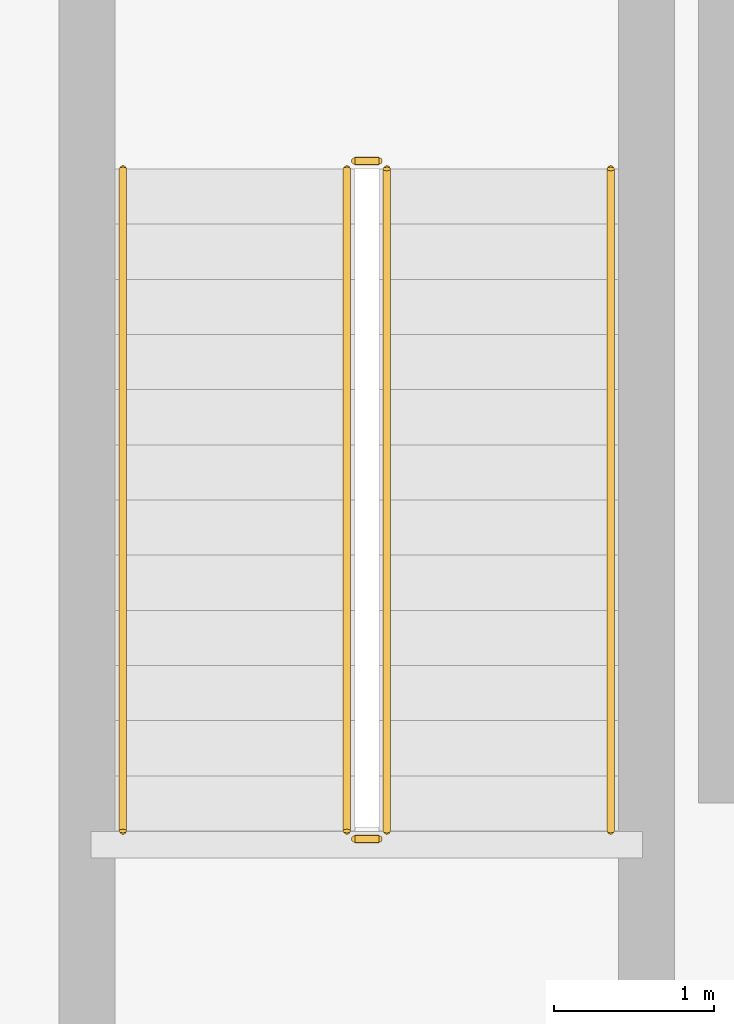
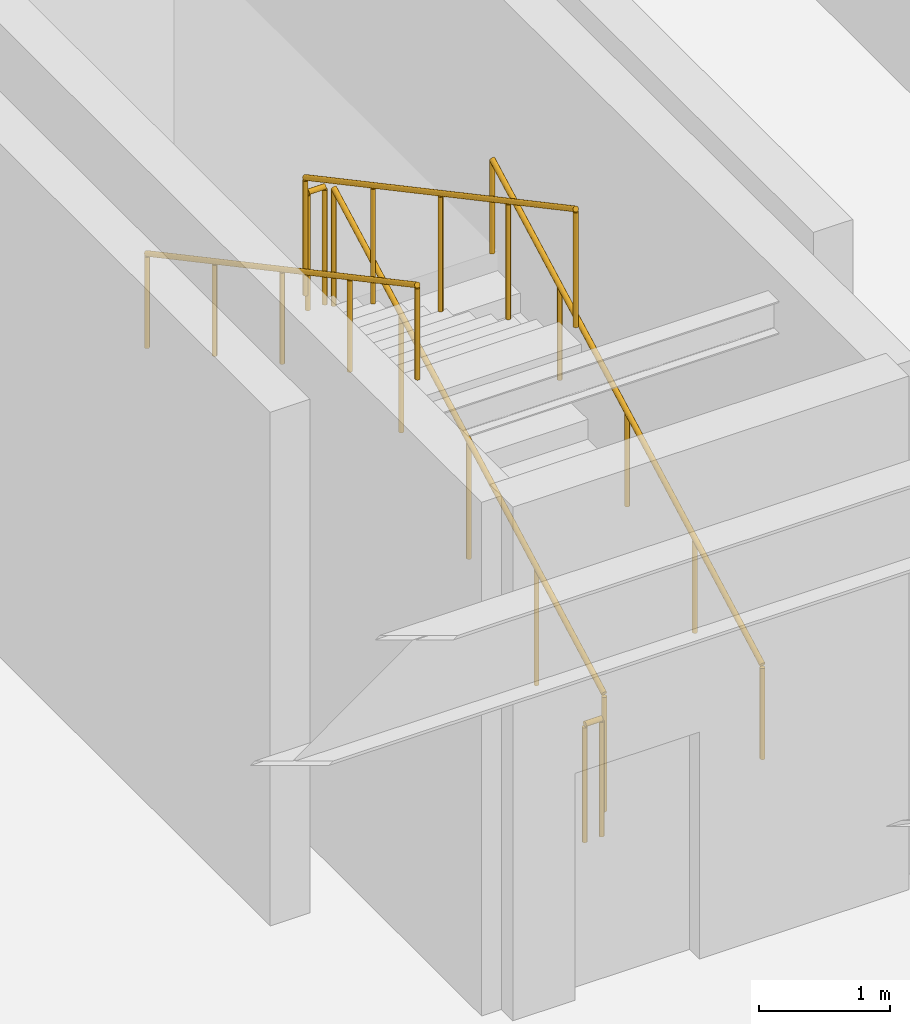
# One storey, part 7 of 8: 6 railings.
"""IFC4 building model written with IfcOpenShell, lengths in metres."""

from ifc_helpers import new_model, si_unit, direction, frame, origin, origin_2d, place, context, subcontext, project, spatial, circle, extrude, material, type_object, element, save


model = new_model("IFC4")

# Units and contexts
model_context = context("Model", 3, precision=1e-05, world=origin(), true_north=direction((0.0, 1.0)))
body_context = subcontext(model_context, "Body", "Model", "MODEL_VIEW")
ifc_project = project(units=[si_unit("LENGTHUNIT", "METRE"), si_unit("AREAUNIT", "SQUARE_METRE"), si_unit("VOLUMEUNIT", "CUBIC_METRE"), si_unit("PLANEANGLEUNIT", "RADIAN"), si_unit("MASSUNIT", "GRAM", prefix="KILO")], contexts=[model_context])

# Site, building, storey
site_placement = place(None, origin())
site = spatial("IfcSite", under=ifc_project, at=site_placement, CompositionType="ELEMENT")
building_placement = place(site_placement, origin())
building = spatial("IfcBuilding", under=site, at=building_placement, Name="Tolvann Quenvar Hotel", CompositionType="ELEMENT")
storey_placement = place(building_placement, frame((0.0, 0.0, -9.60009765625)))
storey = spatial("IfcBuildingStorey", under=building, at=storey_placement, Name="B02", CompositionType="ELEMENT", Elevation=-9.60009765625)

# Railings
ifc_material = material(Name="Brushed 316 stainless steel balustrade and handrail", Category="steel")
railing_type_1 = type_object("IfcRailingType", Name="GUARDRAIL", PredefinedType="GUARDRAIL", material=ifc_material)
railing_1_placement = place(storey_placement, frame((1.60009765625, 34.050048828125, 0.184814453125)))
element("IfcRailing", 1, at=railing_1_placement, inside=storey, type_object=railing_type_1, Name="B02 ST-B1 stair guard 1", PredefinedType="GUARDRAIL", context=body_context, shape_type="SweptSolid", body=[
    extrude(circle(Radius=0.02392578125, at=origin_2d()), frame((0.0, 0.0, 1.09619140625), z_axis=(0.0, 0.881698630289, 0.471813019475), x_axis=(-1.0, 0.0, 0.0)), (0.0, 0.0, 1.0), 4.6953125),
    extrude(circle(Radius=0.02099609375, at=origin_2d()), origin(), (0.0, 0.0, 1.0), 1.072021484375),
    extrude(circle(Radius=0.02099609375, at=origin_2d()), frame((0.0, 1.034912109375, 0.5537109375)), (0.0, 0.0, 1.0), 1.072021484375),
    extrude(circle(Radius=0.02099609375, at=origin_2d()), frame((0.0, 2.06982421875, 1.107666015625)), (0.0, 0.0, 1.0), 1.072021484375),
    extrude(circle(Radius=0.02099609375, at=origin_2d()), frame((0.0, 3.10498046875, 1.66162109375)), (0.0, 0.0, 1.0), 1.072021484375),
    extrude(circle(Radius=0.02099609375, at=origin_2d()), frame((0.0, 4.139892578125, 2.21533203125)), (0.0, 0.0, 1.0), 1.072021484375),
])
railing_2_placement = place(storey_placement, frame((1.550048828125, 38.239990234375, 2.400146484375)))
element("IfcRailing", 2, at=railing_2_placement, inside=storey, type_object=railing_type_1, Name="B02 ST-B1 stair guard 2", PredefinedType="GUARDRAIL", context=body_context, shape_type="SweptSolid", body=[
    extrude(circle(Radius=0.02392578125, at=origin_2d()), frame((0.0, 0.0, 1.09619140625), z_axis=(-1.0, 0.0, 0.0), x_axis=(0.0, -1.0, 0.0)), (0.0, 0.0, 1.0), 0.150146484375),
    extrude(circle(Radius=0.02099609375, at=origin_2d()), origin(), (0.0, 0.0, 1.0), 1.072021484375),
    extrude(circle(Radius=0.02099609375, at=origin_2d()), frame((-0.150146484375, 0.0, 0.0)), (0.0, 0.0, 1.0), 1.072021484375),
])
railing_3_placement = place(storey_placement, frame((1.35009765625, 38.18994140625, 2.584716796875)))
element("IfcRailing", 3, at=railing_3_placement, inside=storey, type_object=railing_type_1, Name="B02 ST-B1 stair guard 3", PredefinedType="GUARDRAIL", context=body_context, shape_type="SweptSolid", body=[
    extrude(circle(Radius=0.02392578125, at=origin_2d()), frame((0.0, 0.0, 1.09619140625), z_axis=(0.0, -0.881698630289, 0.471813019475), x_axis=(1.0, 0.0, 0.0)), (0.0, 0.0, 1.0), 4.6953125),
    extrude(circle(Radius=0.02099609375, at=origin_2d()), origin(), (0.0, 0.0, 1.0), 1.072021484375),
    extrude(circle(Radius=0.02099609375, at=origin_2d()), frame((0.0, -1.034912109375, 0.5537109375)), (0.0, 0.0, 1.0), 1.072021484375),
    extrude(circle(Radius=0.02099609375, at=origin_2d()), frame((0.0, -2.06982421875, 1.107666015625)), (0.0, 0.0, 1.0), 1.072021484375),
    extrude(circle(Radius=0.02099609375, at=origin_2d()), frame((0.0, -3.10498046875, 1.66162109375)), (0.0, 0.0, 1.0), 1.072021484375),
    extrude(circle(Radius=0.02099609375, at=origin_2d()), frame((0.0, -4.139892578125, 2.21533203125)), (0.0, 0.0, 1.0), 1.072021484375),
])
railing_4_placement = place(storey_placement, frame((1.550048828125, 34.0, 0.0)))
element("IfcRailing", 4, at=railing_4_placement, inside=storey, type_object=railing_type_1, Name="B02 ST-B1 stair guard 4", PredefinedType="GUARDRAIL", context=body_context, shape_type="SweptSolid", body=[
    extrude(circle(Radius=0.02392578125, at=origin_2d()), frame((0.0, 0.0, 1.09619140625), z_axis=(-1.0, 0.0, 0.0), x_axis=(0.0, -1.0, 0.0)), (0.0, 0.0, 1.0), 0.150146484375),
    extrude(circle(Radius=0.02099609375, at=origin_2d()), origin(), (0.0, 0.0, 1.0), 1.072021484375),
    extrude(circle(Radius=0.02099609375, at=origin_2d()), frame((-0.150146484375, 0.0, 0.0)), (0.0, 0.0, 1.0), 1.072021484375),
])
railing_type_2 = type_object("IfcRailingType", Name="HANDRAIL", PredefinedType="HANDRAIL", material=ifc_material)
railing_5_placement = place(storey_placement, frame((3.0, 34.050048828125, 0.184814453125)))
element("IfcRailing", 5, at=railing_5_placement, inside=storey, type_object=railing_type_2, Name="B02 ST-B1 stair handrail 1", PredefinedType="HANDRAIL", context=body_context, shape_type="SweptSolid", body=[
    extrude(circle(Radius=0.02392578125, at=origin_2d()), frame((0.0, 0.0, 0.8759765625), z_axis=(0.0, 0.881698630289, 0.471813019475), x_axis=(-1.0, 0.0, 0.0)), (0.0, 0.0, 1.0), 4.6953125),
    extrude(circle(Radius=0.02099609375, at=origin_2d()), origin(), (0.0, 0.0, 1.0), 0.851806640625),
    extrude(circle(Radius=0.02099609375, at=origin_2d()), frame((0.0, 1.034912109375, 0.5537109375)), (0.0, 0.0, 1.0), 0.851806640625),
    extrude(circle(Radius=0.02099609375, at=origin_2d()), frame((0.0, 2.06982421875, 1.107666015625)), (0.0, 0.0, 1.0), 0.851806640625),
    extrude(circle(Radius=0.02099609375, at=origin_2d()), frame((0.0, 3.10498046875, 1.66162109375)), (0.0, 0.0, 1.0), 0.851806640625),
    extrude(circle(Radius=0.02099609375, at=origin_2d()), frame((0.0, 4.139892578125, 2.21533203125)), (0.0, 0.0, 1.0), 0.851806640625),
])
railing_6_placement = place(storey_placement, frame((-0.050048828125, 38.18994140625, 2.584716796875)))
element("IfcRailing", 6, at=railing_6_placement, inside=storey, type_object=railing_type_2, Name="B02 ST-B1 stair handrail 2", PredefinedType="HANDRAIL", context=body_context, shape_type="SweptSolid", body=[
    extrude(circle(Radius=0.02392578125, at=origin_2d()), frame((0.0, 0.0, 0.8759765625), z_axis=(0.0, -0.881698630289, 0.471813019475), x_axis=(1.0, 0.0, 0.0)), (0.0, 0.0, 1.0), 4.6953125),
    extrude(circle(Radius=0.02099609375, at=origin_2d()), origin(), (0.0, 0.0, 1.0), 0.851806640625),
    extrude(circle(Radius=0.02099609375, at=origin_2d()), frame((0.0, -1.034912109375, 0.5537109375)), (0.0, 0.0, 1.0), 0.851806640625),
    extrude(circle(Radius=0.02099609375, at=origin_2d()), frame((0.0, -2.06982421875, 1.107666015625)), (0.0, 0.0, 1.0), 0.851806640625),
    extrude(circle(Radius=0.02099609375, at=origin_2d()), frame((0.0, -3.10498046875, 1.66162109375)), (0.0, 0.0, 1.0), 0.851806640625),
    extrude(circle(Radius=0.02099609375, at=origin_2d()), frame((0.0, -4.139892578125, 2.21533203125)), (0.0, 0.0, 1.0), 0.851806640625),
])

save(model, "model.ifc")
